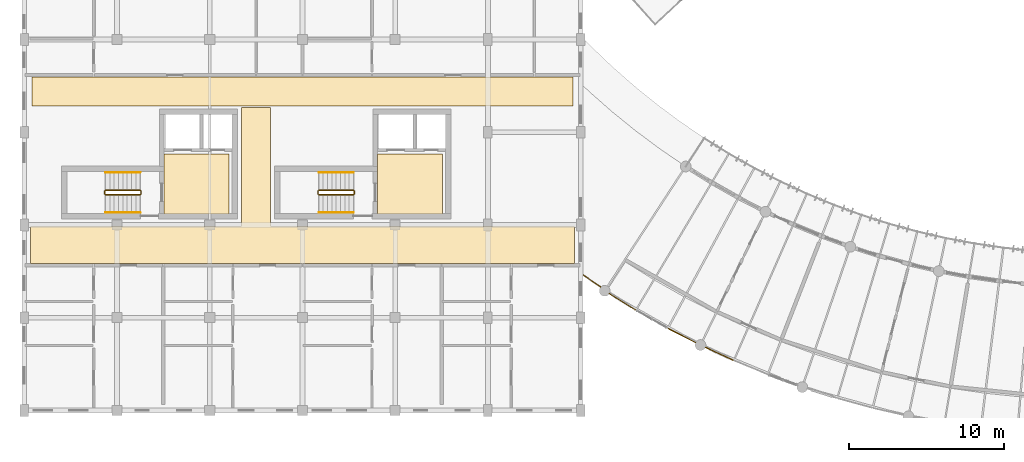
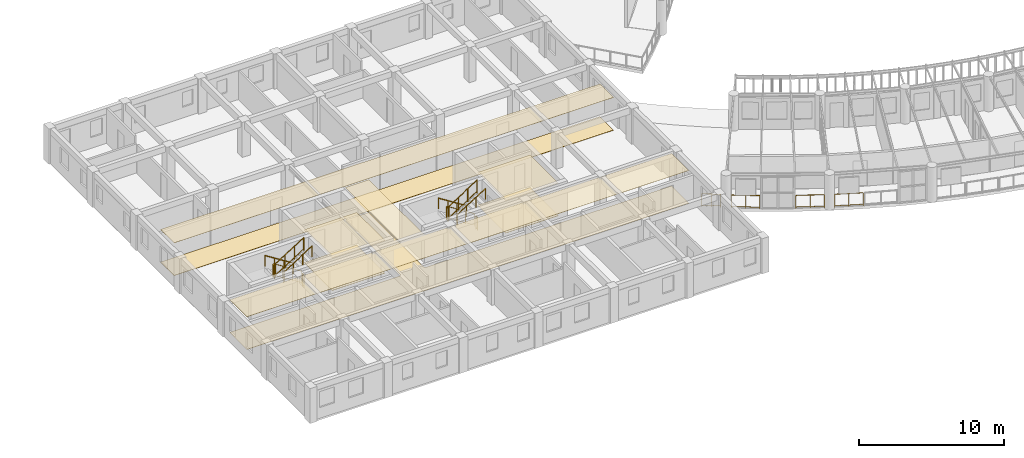
# One storey, part 109 of 123: 16 railings, 8 coverings.
"""IFC4 building model written with IfcOpenShell, lengths in metres."""

from ifc_helpers import new_model, si_unit, direction, frame, origin, origin_2d, place, context, subcontext, project, spatial, polyline, circle, outline, extrude, material, layer, layer_set, type_object, element, save


model = new_model("IFC4")

# Units and contexts
model_context = context("Model", 3, precision=1e-05, world=origin(), true_north=direction((0.0, 1.0)))
body_context = subcontext(model_context, "Body", "Model", "MODEL_VIEW")
ifc_project = project(units=[si_unit("LENGTHUNIT", "METRE"), si_unit("AREAUNIT", "SQUARE_METRE"), si_unit("VOLUMEUNIT", "CUBIC_METRE"), si_unit("PLANEANGLEUNIT", "RADIAN"), si_unit("MASSUNIT", "GRAM", prefix="KILO"), si_unit("POWERUNIT", "WATT"), si_unit("THERMODYNAMICTEMPERATUREUNIT", "KELVIN")], contexts=[model_context])

# Site, building, storey
site_placement = place(None, origin())
site = spatial("IfcSite", under=ifc_project, at=site_placement, CompositionType="ELEMENT")
building_placement = place(site_placement, origin())
building = spatial("IfcBuilding", under=site, at=building_placement, Name="Ruvembo Vaulted Housing Court", CompositionType="ELEMENT")
storey_placement = place(building_placement, frame((0.0, 0.0, 7.699951171875)))
storey = spatial("IfcBuildingStorey", under=building, at=storey_placement, Name="L02", CompositionType="ELEMENT", Elevation=7.699951171875)

# Coverings
ifc_material_1 = material(Name="Perforated Mineral-Fibre Acoustic Tile", Category="gypsum")
ifc_layer_1 = layer(ifc_material_1, 0.02001953125, Name="Perforated Mineral-Fibre Acoustic Tile")
ifc_layer_set_1 = layer_set([ifc_layer_1], Name="Perforated Mineral-Fibre Acoustic Tile")
covering_type_1 = type_object("IfcCoveringType", Name="COV-CEIL-ACOUST", PredefinedType="CEILING", material=ifc_layer_set_1)
covering_1_placement = place(storey_placement, frame((0.0, 0.0, 2.75)))
element("IfcCovering", 1, at=covering_1_placement, inside=storey, type_object=covering_type_1, Name="Firefighting Lift Lobby A1 Ceiling", PredefinedType="CEILING", context=body_context, shape_type="SweptSolid", body=[
    extrude(outline(polyline([(13.25, 22.60009765625), (9.050048828125, 22.60009765625), (9.050048828125, 18.699951171875), (13.25, 18.699951171875), (13.25, 22.60009765625)])), origin(), (0.0, 0.0, 1.0), 0.02001953125),
])
covering_2_placement = place(storey_placement, frame((0.0, 0.0, 2.75)))
element("IfcCovering", 2, at=covering_2_placement, inside=storey, type_object=covering_type_1, Name="Firefighting Lift Lobby A2 Ceiling", PredefinedType="CEILING", context=body_context, shape_type="SweptSolid", body=[
    extrude(outline(polyline([(27.050048828125, 22.60009765625), (22.85009765625, 22.60009765625), (22.85009765625, 18.699951171875), (27.050048828125, 18.699951171875), (27.050048828125, 22.60009765625)])), origin(), (0.0, 0.0, 1.0), 0.02001953125),
])
covering_3_placement = place(storey_placement, frame((0.0, 0.0, 2.75)))
element("IfcCovering", 3, at=covering_3_placement, inside=storey, type_object=covering_type_1, Name="Block A L02 Corridor Ceiling", PredefinedType="CEILING", context=body_context, shape_type="SweptSolid", body=[
    extrude(outline(polyline([(35.590087890625, 15.510009765625), (35.590087890625, 17.889892578125), (16.050048828125, 17.889892578125), (16.039306640625, 17.890380859375), (16.028564453125, 17.89208984375), (16.01806640625, 17.894775390625), (16.0078125, 17.8984375), (15.998046875, 17.903076171875), (15.989013671875, 17.908447265625), (15.980224609375, 17.9150390625), (15.97216796875, 17.922119140625), (15.965087890625, 17.93017578125), (15.95849609375, 17.93896484375), (15.952880859375, 17.947998046875), (15.948486328125, 17.9580078125), (15.944580078125, 17.968017578125), (15.942138671875, 17.978515625), (15.9404296875, 17.9892578125), (15.93994140625, 18.0), (15.93994140625, 25.590087890625), (14.06005859375, 25.590087890625), (14.06005859375, 18.0), (14.0595703125, 17.9892578125), (14.057861328125, 17.978515625), (14.055419921875, 17.968017578125), (14.051513671875, 17.9580078125), (14.047119140625, 17.947998046875), (14.04150390625, 17.93896484375), (14.034912109375, 17.93017578125), (14.02783203125, 17.922119140625), (14.019775390625, 17.9150390625), (14.010986328125, 17.908447265625), (14.001953125, 17.903076171875), (13.9921875, 17.8984375), (13.98193359375, 17.894775390625), (13.971435546875, 17.89208984375), (13.960693359375, 17.890380859375), (13.949951171875, 17.889892578125), (0.409912109375, 17.889892578125), (0.409912109375, 15.510009765625), (35.590087890625, 15.510009765625)])), origin(), (0.0, 0.0, 1.0), 0.02001953125),
])
covering_4_placement = place(storey_placement, frame((0.0, 0.0, 2.75)))
element("IfcCovering", 4, at=covering_4_placement, inside=storey, type_object=covering_type_1, Name="Block A L02 North Sub-Corridor Ceiling", PredefinedType="CEILING", context=body_context, shape_type="SweptSolid", body=[
    extrude(outline(polyline([(0.510009765625, 25.7099609375), (35.489990234375, 25.7099609375), (35.489990234375, 27.590087890625), (0.510009765625, 27.590087890625), (0.510009765625, 25.7099609375)])), origin(), (0.0, 0.0, 1.0), 0.02001953125),
])
ifc_material_2 = material(Name="Polished Cement-Aggregate Terrazzo", Category="stone")
ifc_layer_2 = layer(ifc_material_2, 0.02197265625, Name="Polished Cement-Aggregate Terrazzo")
ifc_layer_set_2 = layer_set([ifc_layer_2], Name="Polished Cement-Aggregate Terrazzo")
covering_type_2 = type_object("IfcCoveringType", Name="COV-FLR-CERAMIC", PredefinedType="FLOORING", material=ifc_layer_set_2)
covering_5_placement = place(storey_placement, origin())
element("IfcCovering", 5, at=covering_5_placement, inside=storey, type_object=covering_type_2, Name="Firefighting Lift Lobby A1 Flooring", PredefinedType="FLOORING", context=body_context, shape_type="SweptSolid", body=[
    extrude(outline(polyline([(13.25, 22.60009765625), (9.050048828125, 22.60009765625), (9.050048828125, 18.699951171875), (13.25, 18.699951171875), (13.25, 22.60009765625)])), origin(), (0.0, 0.0, 1.0), 0.02197265625),
])
covering_6_placement = place(storey_placement, origin())
element("IfcCovering", 6, at=covering_6_placement, inside=storey, type_object=covering_type_2, Name="Firefighting Lift Lobby A2 Flooring", PredefinedType="FLOORING", context=body_context, shape_type="SweptSolid", body=[
    extrude(outline(polyline([(27.050048828125, 22.60009765625), (22.85009765625, 22.60009765625), (22.85009765625, 18.699951171875), (27.050048828125, 18.699951171875), (27.050048828125, 22.60009765625)])), origin(), (0.0, 0.0, 1.0), 0.02197265625),
])
covering_7_placement = place(storey_placement, origin())
element("IfcCovering", 7, at=covering_7_placement, inside=storey, type_object=covering_type_2, Name="Block A L02 Corridor Flooring", PredefinedType="FLOORING", context=body_context, shape_type="SweptSolid", body=[
    extrude(outline(polyline([(35.590087890625, 15.510009765625), (35.590087890625, 17.889892578125), (16.050048828125, 17.889892578125), (16.039306640625, 17.890380859375), (16.028564453125, 17.89208984375), (16.01806640625, 17.894775390625), (16.0078125, 17.8984375), (15.998046875, 17.903076171875), (15.989013671875, 17.908447265625), (15.980224609375, 17.9150390625), (15.97216796875, 17.922119140625), (15.965087890625, 17.93017578125), (15.95849609375, 17.93896484375), (15.952880859375, 17.947998046875), (15.948486328125, 17.9580078125), (15.944580078125, 17.968017578125), (15.942138671875, 17.978515625), (15.9404296875, 17.9892578125), (15.93994140625, 18.0), (15.93994140625, 25.590087890625), (14.06005859375, 25.590087890625), (14.06005859375, 18.0), (14.0595703125, 17.9892578125), (14.057861328125, 17.978515625), (14.055419921875, 17.968017578125), (14.051513671875, 17.9580078125), (14.047119140625, 17.947998046875), (14.04150390625, 17.93896484375), (14.034912109375, 17.93017578125), (14.02783203125, 17.922119140625), (14.019775390625, 17.9150390625), (14.010986328125, 17.908447265625), (14.001953125, 17.903076171875), (13.9921875, 17.8984375), (13.98193359375, 17.894775390625), (13.971435546875, 17.89208984375), (13.960693359375, 17.890380859375), (13.949951171875, 17.889892578125), (0.409912109375, 17.889892578125), (0.409912109375, 15.510009765625), (35.590087890625, 15.510009765625)])), origin(), (0.0, 0.0, 1.0), 0.02197265625),
])
covering_8_placement = place(storey_placement, origin())
element("IfcCovering", 8, at=covering_8_placement, inside=storey, type_object=covering_type_2, Name="Block A L02 North Sub-Corridor Flooring", PredefinedType="FLOORING", context=body_context, shape_type="SweptSolid", body=[
    extrude(outline(polyline([(0.510009765625, 25.7099609375), (35.489990234375, 25.7099609375), (35.489990234375, 27.590087890625), (0.510009765625, 27.590087890625), (0.510009765625, 25.7099609375)])), origin(), (0.0, 0.0, 1.0), 0.02197265625),
])

# Railings
ifc_material_3 = material(Name="Galvanised Painted Steel and Laminated Glass", Category="steel")
ifc_layer_3 = layer(ifc_material_3, 0.070068359375, Name="Galvanised Painted Steel and Laminated Glass")
ifc_layer_set_3 = layer_set([ifc_layer_3], Name="Galvanised Painted Steel and Laminated Glass")
railing_type_1 = type_object("IfcRailingType", Name="RL-BALUST-1120", PredefinedType="BALUSTRADE", material=ifc_layer_set_3)
railing_1_placement = place(storey_placement, frame((37.849365234375, 13.557373046875, 0.0)))
element("IfcRailing", 9, at=railing_1_placement, inside=storey, type_object=railing_type_1, Name="L02 Perimeter Guard RL-EXT-L02-0318", PredefinedType="BALUSTRADE", context=body_context, shape_type="SweptSolid", body=[
    extrude(circle(Radius=0.02392578125, at=origin_2d()), frame((0.0, 0.0, 1.09619140625), z_axis=(0.848906322391, -0.528543333895, 0.0), x_axis=(0.528543333895, 0.848906322391, 0.0)), (0.0, 0.0, 1.0), 1.97607421875),
    extrude(circle(Radius=0.01806640625, at=origin_2d()), frame((0.0, 0.0, 0.1201171875), z_axis=(0.848906322391, -0.528543333895, 0.0), x_axis=(0.528543333895, 0.848906322391, 0.0)), (0.0, 0.0, 1.0), 1.97607421875),
    extrude(circle(Radius=0.02099609375, at=origin_2d()), origin(), (0.0, 0.0, 1.0), 1.072021484375),
    extrude(circle(Radius=0.02099609375, at=origin_2d()), frame((0.8388671875, -0.522216796875, 0.0)), (0.0, 0.0, 1.0), 1.072021484375),
    extrude(circle(Radius=0.02099609375, at=origin_2d()), frame((1.677490234375, -1.04443359375, 0.0)), (0.0, 0.0, 1.0), 1.072021484375),
])
railing_2_placement = place(storey_placement, frame((41.6806640625, 11.2919921875, 0.0)))
element("IfcRailing", 10, at=railing_2_placement, inside=storey, type_object=railing_type_1, Name="L02 Perimeter Guard RL-EXT-L02-0319", PredefinedType="BALUSTRADE", context=body_context, shape_type="SweptSolid", body=[
    extrude(circle(Radius=0.02392578125, at=origin_2d()), frame((0.0, 0.0, 1.09619140625), z_axis=(0.88958194402, -0.456775617644, 0.0), x_axis=(0.456775617644, 0.88958194402, 0.0)), (0.0, 0.0, 1.0), 1.97607421875),
    extrude(circle(Radius=0.01806640625, at=origin_2d()), frame((0.0, 0.0, 0.1201171875), z_axis=(0.88958194402, -0.456775617644, 0.0), x_axis=(0.456775617644, 0.88958194402, 0.0)), (0.0, 0.0, 1.0), 1.97607421875),
    extrude(circle(Radius=0.02099609375, at=origin_2d()), origin(), (0.0, 0.0, 1.0), 1.072021484375),
    extrude(circle(Radius=0.02099609375, at=origin_2d()), frame((0.87890625, -0.451171875, 0.0)), (0.0, 0.0, 1.0), 1.072021484375),
    extrude(circle(Radius=0.02099609375, at=origin_2d()), frame((1.7578125, -0.902587890625, 0.0)), (0.0, 0.0, 1.0), 1.072021484375),
])
railing_3_placement = place(storey_placement, frame((44.0673828125, 10.08251953125, 0.0)))
element("IfcRailing", 11, at=railing_3_placement, inside=storey, type_object=railing_type_1, Name="L02 Perimeter Guard RL-EXT-L02-0320", PredefinedType="BALUSTRADE", context=body_context, shape_type="SweptSolid", body=[
    extrude(circle(Radius=0.02392578125, at=origin_2d()), frame((0.0, 0.0, 1.09619140625), z_axis=(0.907673517056, -0.41967700251, 0.0), x_axis=(0.41967700251, 0.907673517056, 0.0)), (0.0, 0.0, 1.0), 1.97607421875),
    extrude(circle(Radius=0.01806640625, at=origin_2d()), frame((0.0, 0.0, 0.1201171875), z_axis=(0.907673517056, -0.41967700251, 0.0), x_axis=(0.41967700251, 0.907673517056, 0.0)), (0.0, 0.0, 1.0), 1.97607421875),
    extrude(circle(Radius=0.02099609375, at=origin_2d()), origin(), (0.0, 0.0, 1.0), 1.072021484375),
    extrude(circle(Radius=0.02099609375, at=origin_2d()), frame((0.89697265625, -0.41455078125, 0.0)), (0.0, 0.0, 1.0), 1.072021484375),
    extrude(circle(Radius=0.02099609375, at=origin_2d()), frame((1.793701171875, -0.829345703125, 0.0)), (0.0, 0.0, 1.0), 1.072021484375),
])
ifc_material_4 = material(Name="Galvanised Painted Steel S275", Category="steel")
ifc_layer_4 = layer(ifc_material_4, 0.06005859375, Name="Galvanised Painted Steel S275")
ifc_layer_set_4 = layer_set([ifc_layer_4], Name="Galvanised Painted Steel S275")
railing_type_2 = type_object("IfcRailingType", Name="RL-GUARD-1100", PredefinedType="GUARDRAIL", material=ifc_layer_set_4)
railing_4_placement = place(storey_placement, frame((37.280517578125, 14.000244140625, 0.0)))
element("IfcRailing", 12, at=railing_4_placement, inside=storey, type_object=railing_type_2, Name="L02 Perimeter Guard RL-EXT-L02-0910", PredefinedType="GUARDRAIL", context=body_context, shape_type="SweptSolid", body=[
    extrude(circle(Radius=0.02392578125, at=origin_2d()), frame((0.0, 0.0, 1.076171875), z_axis=(-0.826420361982, 0.5630536256, 0.0), x_axis=(-0.5630536256, -0.826420361982, 0.0)), (0.0, 0.0, 1.0), 1.337646484375),
    extrude(circle(Radius=0.01806640625, at=origin_2d()), frame((0.0, 0.0, 0.1201171875), z_axis=(-0.826420361982, 0.5630536256, 0.0), x_axis=(-0.5630536256, -0.826420361982, 0.0)), (0.0, 0.0, 1.0), 1.337646484375),
    extrude(circle(Radius=0.02099609375, at=origin_2d()), origin(), (0.0, 0.0, 1.0), 1.052001953125),
    extrude(circle(Radius=0.02099609375, at=origin_2d()), frame((-0.552734375, 0.37646484375, 0.0)), (0.0, 0.0, 1.0), 1.052001953125),
    extrude(circle(Radius=0.02099609375, at=origin_2d()), frame((-1.10546875, 0.753173828125, 0.0)), (0.0, 0.0, 1.0), 1.052001953125),
])
ifc_material_5 = material(Name="Painted Galvanised Steel S275", Category="steel")
ifc_layer_5 = layer(ifc_material_5, 0.06005859375, Name="Painted Galvanised Steel S275")
ifc_layer_set_5 = layer_set([ifc_layer_5], Name="Painted Galvanised Steel S275")
railing_type_3 = type_object("IfcRailingType", Name="RL-STAIR-GR1100", PredefinedType="GUARDRAIL", material=ifc_layer_set_5)
railing_5_placement = place(storey_placement, frame((7.5, 20.25, 0.177734375)))
element("IfcRailing", 13, at=railing_5_placement, inside=storey, type_object=railing_type_3, Name="L02 ST-A1 stair guard 1", PredefinedType="GUARDRAIL", context=body_context, shape_type="SweptSolid", body=[
    extrude(circle(Radius=0.02392578125, at=origin_2d()), frame((0.0, 0.0, 1.076171875), z_axis=(-0.84418770128, 0.0, 0.536047689118), x_axis=(0.0, -1.0, 0.0)), (0.0, 0.0, 1.0), 2.6533203125),
    extrude(circle(Radius=0.01806640625, at=origin_2d()), frame((0.0, 0.0, 0.1201171875), z_axis=(-0.84418770128, 0.0, 0.536047689118), x_axis=(0.0, -1.0, 0.0)), (0.0, 0.0, 1.0), 2.6533203125),
    extrude(circle(Radius=0.02099609375, at=origin_2d()), origin(), (0.0, 0.0, 1.0), 1.052001953125),
    extrude(circle(Radius=0.02099609375, at=origin_2d()), frame((-0.74658203125, 0.0, 0.47412109375)), (0.0, 0.0, 1.0), 1.052001953125),
    extrude(circle(Radius=0.02099609375, at=origin_2d()), frame((-1.493408203125, 0.0, 0.9482421875)), (0.0, 0.0, 1.0), 1.052001953125),
    extrude(circle(Radius=0.02099609375, at=origin_2d()), frame((-2.239990234375, 0.0, 1.42236328125)), (0.0, 0.0, 1.0), 1.052001953125),
])
railing_6_placement = place(storey_placement, frame((5.2099609375, 20.199951171875, 1.60009765625)))
element("IfcRailing", 14, at=railing_6_placement, inside=storey, type_object=railing_type_3, Name="L02 ST-A1 stair guard 2", PredefinedType="GUARDRAIL", context=body_context, shape_type="SweptSolid", body=[
    extrude(circle(Radius=0.02392578125, at=origin_2d()), frame((0.0, 0.0, 1.076171875), z_axis=(0.0, -1.0, 0.0), x_axis=(1.0, 0.0, 0.0)), (0.0, 0.0, 1.0), 0.199951171875),
    extrude(circle(Radius=0.01806640625, at=origin_2d()), frame((0.0, 0.0, 0.1201171875), z_axis=(0.0, -1.0, 0.0), x_axis=(1.0, 0.0, 0.0)), (0.0, 0.0, 1.0), 0.199951171875),
    extrude(circle(Radius=0.02099609375, at=origin_2d()), origin(), (0.0, 0.0, 1.0), 1.052001953125),
    extrude(circle(Radius=0.02099609375, at=origin_2d()), frame((0.0, -0.199951171875, 0.0)), (0.0, 0.0, 1.0), 1.052001953125),
])
railing_7_placement = place(storey_placement, frame((5.260009765625, 19.949951171875, 1.77783203125)))
element("IfcRailing", 15, at=railing_7_placement, inside=storey, type_object=railing_type_3, Name="L02 ST-A1 stair guard 3", PredefinedType="GUARDRAIL", context=body_context, shape_type="SweptSolid", body=[
    extrude(circle(Radius=0.02392578125, at=origin_2d()), frame((0.0, 0.0, 1.076171875), z_axis=(0.8442293374, 0.0, 0.53598211339), x_axis=(0.0, 1.0, 0.0)), (0.0, 0.0, 1.0), 2.6533203125),
    extrude(circle(Radius=0.01806640625, at=origin_2d()), frame((0.0, 0.0, 0.1201171875), z_axis=(0.8442293374, 0.0, 0.53598211339), x_axis=(0.0, 1.0, 0.0)), (0.0, 0.0, 1.0), 2.6533203125),
    extrude(circle(Radius=0.02099609375, at=origin_2d()), origin(), (0.0, 0.0, 1.0), 1.052001953125),
    extrude(circle(Radius=0.02099609375, at=origin_2d()), frame((0.74658203125, 0.0, 0.47412109375)), (0.0, 0.0, 1.0), 1.052001953125),
    extrude(circle(Radius=0.02099609375, at=origin_2d()), frame((1.493408203125, 0.0, 0.947998046875)), (0.0, 0.0, 1.0), 1.052001953125),
    extrude(circle(Radius=0.02099609375, at=origin_2d()), frame((2.239990234375, 0.0, 1.422119140625)), (0.0, 0.0, 1.0), 1.052001953125),
])
railing_8_placement = place(storey_placement, frame((7.550048828125, 20.199951171875, 0.0)))
element("IfcRailing", 16, at=railing_8_placement, inside=storey, type_object=railing_type_3, Name="L02 ST-A1 stair guard 4", PredefinedType="GUARDRAIL", context=body_context, shape_type="SweptSolid", body=[
    extrude(circle(Radius=0.02392578125, at=origin_2d()), frame((0.0, 0.0, 1.076171875), z_axis=(0.0, -1.0, 0.0), x_axis=(1.0, 0.0, 0.0)), (0.0, 0.0, 1.0), 0.199951171875),
    extrude(circle(Radius=0.01806640625, at=origin_2d()), frame((0.0, 0.0, 0.1201171875), z_axis=(0.0, -1.0, 0.0), x_axis=(1.0, 0.0, 0.0)), (0.0, 0.0, 1.0), 0.199951171875),
    extrude(circle(Radius=0.02099609375, at=origin_2d()), origin(), (0.0, 0.0, 1.0), 1.052001953125),
    extrude(circle(Radius=0.02099609375, at=origin_2d()), frame((0.0, -0.199951171875, 0.0)), (0.0, 0.0, 1.0), 1.052001953125),
])
railing_9_placement = place(storey_placement, frame((21.300048828125, 20.25, 0.177734375)))
element("IfcRailing", 17, at=railing_9_placement, inside=storey, type_object=railing_type_3, Name="L02 ST-A2 stair guard 1", PredefinedType="GUARDRAIL", context=body_context, shape_type="SweptSolid", body=[
    extrude(circle(Radius=0.02392578125, at=origin_2d()), frame((0.0, 0.0, 1.076171875), z_axis=(-0.84418770128, 0.0, 0.536047689118), x_axis=(0.0, -1.0, 0.0)), (0.0, 0.0, 1.0), 2.6533203125),
    extrude(circle(Radius=0.01806640625, at=origin_2d()), frame((0.0, 0.0, 0.1201171875), z_axis=(-0.84418770128, 0.0, 0.536047689118), x_axis=(0.0, -1.0, 0.0)), (0.0, 0.0, 1.0), 2.6533203125),
    extrude(circle(Radius=0.02099609375, at=origin_2d()), origin(), (0.0, 0.0, 1.0), 1.052001953125),
    extrude(circle(Radius=0.02099609375, at=origin_2d()), frame((-0.74658203125, 0.0, 0.47412109375)), (0.0, 0.0, 1.0), 1.052001953125),
    extrude(circle(Radius=0.02099609375, at=origin_2d()), frame((-1.493408203125, 0.0, 0.9482421875)), (0.0, 0.0, 1.0), 1.052001953125),
    extrude(circle(Radius=0.02099609375, at=origin_2d()), frame((-2.239990234375, 0.0, 1.42236328125)), (0.0, 0.0, 1.0), 1.052001953125),
])
railing_10_placement = place(storey_placement, frame((19.010009765625, 20.199951171875, 1.60009765625)))
element("IfcRailing", 18, at=railing_10_placement, inside=storey, type_object=railing_type_3, Name="L02 ST-A2 stair guard 2", PredefinedType="GUARDRAIL", context=body_context, shape_type="SweptSolid", body=[
    extrude(circle(Radius=0.02392578125, at=origin_2d()), frame((0.0, 0.0, 1.076171875), z_axis=(0.0, -1.0, 0.0), x_axis=(1.0, 0.0, 0.0)), (0.0, 0.0, 1.0), 0.199951171875),
    extrude(circle(Radius=0.01806640625, at=origin_2d()), frame((0.0, 0.0, 0.1201171875), z_axis=(0.0, -1.0, 0.0), x_axis=(1.0, 0.0, 0.0)), (0.0, 0.0, 1.0), 0.199951171875),
    extrude(circle(Radius=0.02099609375, at=origin_2d()), origin(), (0.0, 0.0, 1.0), 1.052001953125),
    extrude(circle(Radius=0.02099609375, at=origin_2d()), frame((0.0, -0.199951171875, 0.0)), (0.0, 0.0, 1.0), 1.052001953125),
])
railing_11_placement = place(storey_placement, frame((19.06005859375, 19.949951171875, 1.77783203125)))
element("IfcRailing", 19, at=railing_11_placement, inside=storey, type_object=railing_type_3, Name="L02 ST-A2 stair guard 3", PredefinedType="GUARDRAIL", context=body_context, shape_type="SweptSolid", body=[
    extrude(circle(Radius=0.02392578125, at=origin_2d()), frame((0.0, 0.0, 1.076171875), z_axis=(0.8442293374, 0.0, 0.53598211339), x_axis=(0.0, 1.0, 0.0)), (0.0, 0.0, 1.0), 2.6533203125),
    extrude(circle(Radius=0.01806640625, at=origin_2d()), frame((0.0, 0.0, 0.1201171875), z_axis=(0.8442293374, 0.0, 0.53598211339), x_axis=(0.0, 1.0, 0.0)), (0.0, 0.0, 1.0), 2.6533203125),
    extrude(circle(Radius=0.02099609375, at=origin_2d()), origin(), (0.0, 0.0, 1.0), 1.052001953125),
    extrude(circle(Radius=0.02099609375, at=origin_2d()), frame((0.74658203125, 0.0, 0.47412109375)), (0.0, 0.0, 1.0), 1.052001953125),
    extrude(circle(Radius=0.02099609375, at=origin_2d()), frame((1.493408203125, 0.0, 0.947998046875)), (0.0, 0.0, 1.0), 1.052001953125),
    extrude(circle(Radius=0.02099609375, at=origin_2d()), frame((2.239990234375, 0.0, 1.422119140625)), (0.0, 0.0, 1.0), 1.052001953125),
])
railing_12_placement = place(storey_placement, frame((21.35009765625, 20.199951171875, 0.0)))
element("IfcRailing", 20, at=railing_12_placement, inside=storey, type_object=railing_type_3, Name="L02 ST-A2 stair guard 4", PredefinedType="GUARDRAIL", context=body_context, shape_type="SweptSolid", body=[
    extrude(circle(Radius=0.02392578125, at=origin_2d()), frame((0.0, 0.0, 1.076171875), z_axis=(0.0, -1.0, 0.0), x_axis=(1.0, 0.0, 0.0)), (0.0, 0.0, 1.0), 0.199951171875),
    extrude(circle(Radius=0.01806640625, at=origin_2d()), frame((0.0, 0.0, 0.1201171875), z_axis=(0.0, -1.0, 0.0), x_axis=(1.0, 0.0, 0.0)), (0.0, 0.0, 1.0), 0.199951171875),
    extrude(circle(Radius=0.02099609375, at=origin_2d()), origin(), (0.0, 0.0, 1.0), 1.052001953125),
    extrude(circle(Radius=0.02099609375, at=origin_2d()), frame((0.0, -0.199951171875, 0.0)), (0.0, 0.0, 1.0), 1.052001953125),
])
ifc_material_6 = material(Name="Brushed Stainless Steel 304", Category="steel")
ifc_layer_6 = layer(ifc_material_6, 0.050048828125, Name="Brushed Stainless Steel 304")
ifc_layer_set_6 = layer_set([ifc_layer_6], Name="Brushed Stainless Steel 304")
railing_type_4 = type_object("IfcRailingType", Name="RL-STAIR-HR920", PredefinedType="HANDRAIL", material=ifc_layer_set_6)
railing_13_placement = place(storey_placement, frame((7.5, 21.39990234375, 0.359375)))
element("IfcRailing", 21, at=railing_13_placement, inside=storey, type_object=railing_type_4, Name="L02 ST-A1 stair handrail 1", PredefinedType="HANDRAIL", context=body_context, shape_type="SweptSolid", body=[
    extrude(circle(Radius=0.02392578125, at=origin_2d()), frame((0.0, 0.0, 0.8759765625), z_axis=(-0.8442293374, 0.0, 0.53598211339), x_axis=(0.0, -1.0, 0.0)), (0.0, 0.0, 1.0), 2.6533203125),
    extrude(circle(Radius=0.02099609375, at=origin_2d()), origin(), (0.0, 0.0, 1.0), 0.851806640625),
    extrude(circle(Radius=0.02099609375, at=origin_2d()), frame((-0.74658203125, 0.0, 0.47412109375)), (0.0, 0.0, 1.0), 0.851806640625),
    extrude(circle(Radius=0.02099609375, at=origin_2d()), frame((-1.493408203125, 0.0, 0.947998046875)), (0.0, 0.0, 1.0), 0.851806640625),
    extrude(circle(Radius=0.02099609375, at=origin_2d()), frame((-2.239990234375, 0.0, 1.422119140625)), (0.0, 0.0, 1.0), 0.851806640625),
])
railing_14_placement = place(storey_placement, frame((5.260009765625, 18.800048828125, 1.959228515625)))
element("IfcRailing", 22, at=railing_14_placement, inside=storey, type_object=railing_type_4, Name="L02 ST-A1 stair handrail 2", PredefinedType="HANDRAIL", context=body_context, shape_type="SweptSolid", body=[
    extrude(circle(Radius=0.02392578125, at=origin_2d()), frame((0.0, 0.0, 0.8759765625), z_axis=(0.84418770128, 0.0, 0.536047689118), x_axis=(0.0, 1.0, 0.0)), (0.0, 0.0, 1.0), 2.6533203125),
    extrude(circle(Radius=0.02099609375, at=origin_2d()), origin(), (0.0, 0.0, 1.0), 0.851806640625),
    extrude(circle(Radius=0.02099609375, at=origin_2d()), frame((0.74658203125, 0.0, 0.47412109375)), (0.0, 0.0, 1.0), 0.851806640625),
    extrude(circle(Radius=0.02099609375, at=origin_2d()), frame((1.493408203125, 0.0, 0.9482421875)), (0.0, 0.0, 1.0), 0.851806640625),
    extrude(circle(Radius=0.02099609375, at=origin_2d()), frame((2.239990234375, 0.0, 1.42236328125)), (0.0, 0.0, 1.0), 0.851806640625),
])
railing_15_placement = place(storey_placement, frame((21.300048828125, 21.39990234375, 0.359375)))
element("IfcRailing", 23, at=railing_15_placement, inside=storey, type_object=railing_type_4, Name="L02 ST-A2 stair handrail 1", PredefinedType="HANDRAIL", context=body_context, shape_type="SweptSolid", body=[
    extrude(circle(Radius=0.02392578125, at=origin_2d()), frame((0.0, 0.0, 0.8759765625), z_axis=(-0.8442293374, 0.0, 0.53598211339), x_axis=(0.0, -1.0, 0.0)), (0.0, 0.0, 1.0), 2.6533203125),
    extrude(circle(Radius=0.02099609375, at=origin_2d()), origin(), (0.0, 0.0, 1.0), 0.851806640625),
    extrude(circle(Radius=0.02099609375, at=origin_2d()), frame((-0.74658203125, 0.0, 0.47412109375)), (0.0, 0.0, 1.0), 0.851806640625),
    extrude(circle(Radius=0.02099609375, at=origin_2d()), frame((-1.493408203125, 0.0, 0.947998046875)), (0.0, 0.0, 1.0), 0.851806640625),
    extrude(circle(Radius=0.02099609375, at=origin_2d()), frame((-2.239990234375, 0.0, 1.422119140625)), (0.0, 0.0, 1.0), 0.851806640625),
])
railing_16_placement = place(storey_placement, frame((19.06005859375, 18.800048828125, 1.959228515625)))
element("IfcRailing", 24, at=railing_16_placement, inside=storey, type_object=railing_type_4, Name="L02 ST-A2 stair handrail 2", PredefinedType="HANDRAIL", context=body_context, shape_type="SweptSolid", body=[
    extrude(circle(Radius=0.02392578125, at=origin_2d()), frame((0.0, 0.0, 0.8759765625), z_axis=(0.84418770128, 0.0, 0.536047689118), x_axis=(0.0, 1.0, 0.0)), (0.0, 0.0, 1.0), 2.6533203125),
    extrude(circle(Radius=0.02099609375, at=origin_2d()), origin(), (0.0, 0.0, 1.0), 0.851806640625),
    extrude(circle(Radius=0.02099609375, at=origin_2d()), frame((0.74658203125, 0.0, 0.47412109375)), (0.0, 0.0, 1.0), 0.851806640625),
    extrude(circle(Radius=0.02099609375, at=origin_2d()), frame((1.493408203125, 0.0, 0.9482421875)), (0.0, 0.0, 1.0), 0.851806640625),
    extrude(circle(Radius=0.02099609375, at=origin_2d()), frame((2.239990234375, 0.0, 1.42236328125)), (0.0, 0.0, 1.0), 0.851806640625),
])

save(model, "model.ifc")
